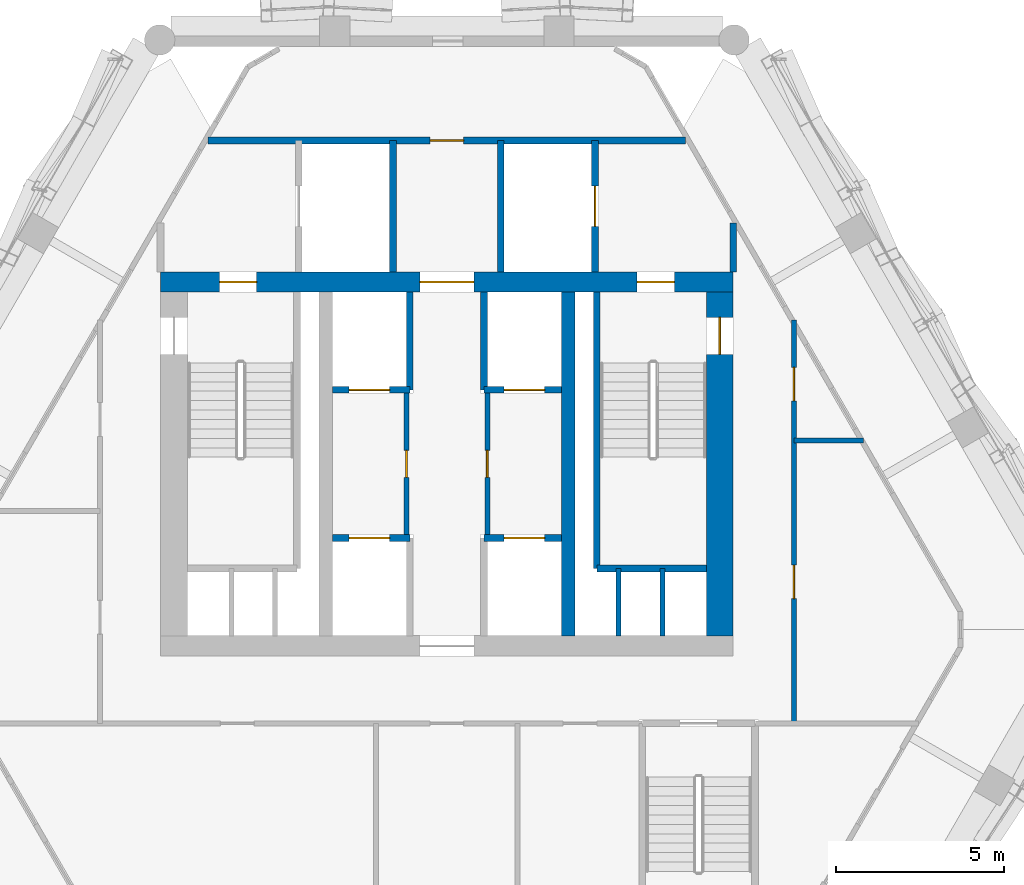
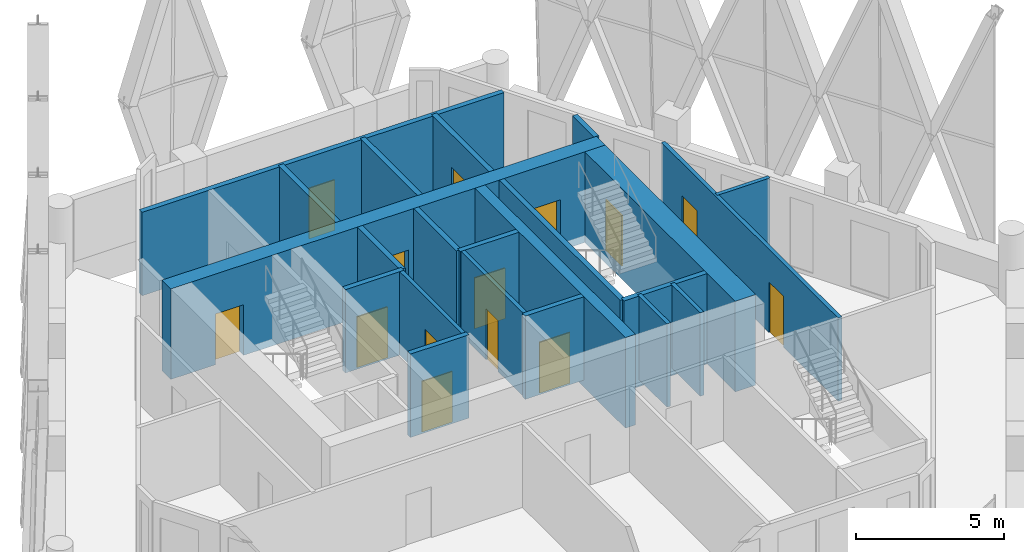
# One storey, part 14 of 21: 22 walls, 14 doors, 14 openings.
"""IFC4 building model written with IfcOpenShell, lengths in metres."""

from ifc_helpers import new_model, si_unit, direction, frame, frame_2d, origin, place, context, subcontext, project, spatial, rectangle, extrude, material, layer, layer_set, type_object, element, fill, save


model = new_model("IFC4")

# Units and contexts
model_context = context("Model", 3, precision=1e-05, world=origin(), true_north=direction((0.0, 1.0)))
body_context = subcontext(model_context, "Body", "Model", "MODEL_VIEW")
ifc_project = project(units=[si_unit("LENGTHUNIT", "METRE"), si_unit("AREAUNIT", "SQUARE_METRE"), si_unit("VOLUMEUNIT", "CUBIC_METRE"), si_unit("PLANEANGLEUNIT", "RADIAN"), si_unit("MASSUNIT", "GRAM", prefix="KILO")], contexts=[model_context])

# Site, building, storey
site_placement = place(None, origin())
site = spatial("IfcSite", under=ifc_project, at=site_placement, CompositionType="ELEMENT")
building_placement = place(site_placement, origin())
building = spatial("IfcBuilding", under=site, at=building_placement, Name="Ostrander Bayou Hotel Tower", CompositionType="ELEMENT")
storey_placement = place(building_placement, frame((0.0, 0.0, 256.25)))
storey = spatial("IfcBuildingStorey", under=building, at=storey_placement, Name="L63", CompositionType="ELEMENT", Elevation=256.25)

# Wall, openings, doors
ifc_material_1 = material(Name="Concrete f'c 60 MPa", Category="concrete")
ifc_layer_1 = layer(ifc_material_1, 0.60009765625)
ifc_layer_set_1 = layer_set([ifc_layer_1], Name="CW10 core wall 600 mm f'c 60 MPa")
wall_type_1 = type_object("IfcWallType", Name="CW10 core wall 600 mm f'c 60 MPa", PredefinedType="SHEAR", material=ifc_layer_set_1)
wall_1_placement = place(storey_placement, frame((-8.5, 9.39990234375, -0.300048828125), z_axis=(0.0, 0.0, 1.0), x_axis=(1.0, 0.0, 0.0)))
wall_1 = element("IfcWall", 1, at=wall_1_placement, inside=storey, type_object=wall_type_1, Name="CW10 L63 N", PredefinedType="SHEAR", context=body_context, shape_type="SweptSolid", body=[
    extrude(rectangle(XDim=17.0, YDim=0.60009765625, at=frame_2d((8.5, 0.0))), origin(), (0.0, 0.0, 1.0), 3.75),
])
opening_1_placement = place(wall_1_placement, frame((7.699951171875, 0.0, 0.0)))
opening_1 = element("IfcOpeningElement", 2, at=opening_1_placement, cuts=wall_1, Name="Opening T63-006", PredefinedType="OPENING", context=body_context, shape_type="SweptSolid", body=[
    extrude(rectangle(XDim=1.60009765625, YDim=2.10009765625, at=frame_2d((0.800048828125, 1.050048828125))), frame((0.0, 0.300048828125, 0.0), z_axis=(0.0, -1.0, 0.0), x_axis=(1.0, 0.0, 0.0)), (0.0, 0.0, 1.0), 0.60009765625),
])
opening_2_placement = place(wall_1_placement, frame((1.75, 0.0, 0.0)))
opening_2 = element("IfcOpeningElement", 3, at=opening_2_placement, cuts=wall_1, Name="Opening T63-007", PredefinedType="OPENING", context=body_context, shape_type="SweptSolid", body=[
    extrude(rectangle(XDim=1.10009765625, YDim=2.10009765625, at=frame_2d((0.550048828125, 1.050048828125))), frame((0.0, 0.300048828125, 0.0), z_axis=(0.0, -1.0, 0.0), x_axis=(1.0, 0.0, 0.0)), (0.0, 0.0, 1.0), 0.60009765625),
])
opening_3_placement = place(wall_1_placement, frame((14.14990234375, 0.0, 0.0)))
opening_3 = element("IfcOpeningElement", 4, at=opening_3_placement, cuts=wall_1, Name="Opening T63-009", PredefinedType="OPENING", context=body_context, shape_type="SweptSolid", body=[
    extrude(rectangle(XDim=1.10009765625, YDim=2.10009765625, at=frame_2d((0.550048828125, 1.050048828125))), frame((0.0, 0.300048828125, 0.0), z_axis=(0.0, -1.0, 0.0), x_axis=(1.0, 0.0, 0.0)), (0.0, 0.0, 1.0), 0.60009765625),
])
ifc_material_2 = material(Name="Timber door leaf", Category="wood")
door_type_1 = type_object("IfcDoorType", Name="D13 double door 1600 x 2100 mm, 1 hour", OperationType="SINGLE_SWING_LEFT", PredefinedType="DOOR", material=ifc_material_2)
door_1_placement = place(opening_1_placement, origin())
door_1 = element("IfcDoor", 5, at=door_1_placement, inside=storey, type_object=door_type_1, Name="dr:L63:006", OperationType="DOUBLE_DOOR_SINGLE_SWING", OverallHeight=2.10009765625, OverallWidth=1.60009765625, PredefinedType="DOOR", context=body_context, shape_type="SweptSolid", body=[
    extrude(rectangle(XDim=1.60009765625, YDim=2.10009765625, at=frame_2d((0.800048828125, 1.050048828125))), frame((0.0, 0.02490234375, 0.0), z_axis=(0.0, -1.0, 0.0), x_axis=(1.0, 0.0, 0.0)), (0.0, 0.0, 1.0), 0.050048828125),
])
fill(opening_1, door_1)
ifc_material_3 = material(Name="Timber door leaf", Category="wood")
door_type_2 = type_object("IfcDoorType", Name="D5 stair door 1100 x 2100 mm, 90 minute", OperationType="SINGLE_SWING_LEFT", PredefinedType="DOOR", material=ifc_material_3)
door_2_placement = place(opening_2_placement, origin())
door_2 = element("IfcDoor", 6, at=door_2_placement, inside=storey, type_object=door_type_2, Name="dr:L63:007", OperationType="SINGLE_SWING_LEFT", OverallHeight=2.10009765625, OverallWidth=1.10009765625, PredefinedType="DOOR", context=body_context, shape_type="SweptSolid", body=[
    extrude(rectangle(XDim=1.10009765625, YDim=2.10009765625, at=frame_2d((0.550048828125, 1.050048828125))), frame((0.0, 0.02490234375, 0.0), z_axis=(0.0, -1.0, 0.0), x_axis=(1.0, 0.0, 0.0)), (0.0, 0.0, 1.0), 0.050048828125),
])
fill(opening_2, door_2)
door_3_placement = place(opening_3_placement, origin())
door_3 = element("IfcDoor", 7, at=door_3_placement, inside=storey, type_object=door_type_2, Name="dr:L63:009", OperationType="SINGLE_SWING_RIGHT", OverallHeight=2.10009765625, OverallWidth=1.10009765625, PredefinedType="DOOR", context=body_context, shape_type="SweptSolid", body=[
    extrude(rectangle(XDim=1.10009765625, YDim=2.10009765625, at=frame_2d((0.550048828125, 1.050048828125))), frame((0.0, 0.02490234375, 0.0), z_axis=(0.0, -1.0, 0.0), x_axis=(1.0, 0.0, 0.0)), (0.0, 0.0, 1.0), 0.050048828125),
])
fill(opening_3, door_3)

# Wall, opening, door
ifc_material_4 = material(Name="Concrete f'c 60 MPa", Category="concrete")
ifc_layer_2 = layer(ifc_material_4, 0.800048828125)
ifc_layer_set_2 = layer_set([ifc_layer_2], Name="CW11 core spine wall 800 mm f'c 60 MPa")
wall_type_2 = type_object("IfcWallType", Name="CW11 core spine wall 800 mm f'c 60 MPa", PredefinedType="SHEAR", material=ifc_layer_set_2)
wall_2_placement = place(storey_placement, frame((8.10009765625, -1.10009765625, -0.300048828125), z_axis=(0.0, 0.0, 1.0), x_axis=(0.0, 1.0, 0.0)))
wall_2 = element("IfcWall", 8, at=wall_2_placement, inside=storey, type_object=wall_type_2, Name="CW11 L63 E", PredefinedType="SHEAR", context=body_context, shape_type="SweptSolid", body=[
    extrude(rectangle(XDim=10.2001953125, YDim=0.800048828125, at=frame_2d((5.10009765625, 0.0))), origin(), (0.0, 0.0, 1.0), 3.75),
])
opening_4_placement = place(wall_2_placement, frame((8.35009765625, 0.0, 0.0)))
opening_4 = element("IfcOpeningElement", 9, at=opening_4_placement, cuts=wall_2, Name="Opening T63-010", PredefinedType="OPENING", context=body_context, shape_type="SweptSolid", body=[
    extrude(rectangle(XDim=1.10009765625, YDim=2.10009765625, at=frame_2d((0.550048828125, 1.050048828125))), frame((0.0, 0.39990234375, 0.0), z_axis=(0.0, -1.0, 0.0), x_axis=(1.0, 0.0, 0.0)), (0.0, 0.0, 1.0), 0.800048828125),
])
door_4_placement = place(opening_4_placement, origin())
door_4 = element("IfcDoor", 10, at=door_4_placement, inside=storey, type_object=door_type_2, Name="dr:L63:010", OperationType="SINGLE_SWING_LEFT", OverallHeight=2.10009765625, OverallWidth=1.10009765625, PredefinedType="DOOR", context=body_context, shape_type="SweptSolid", body=[
    extrude(rectangle(XDim=1.10009765625, YDim=2.10009765625, at=frame_2d((0.550048828125, 1.050048828125))), frame((0.0, 0.02490234375, 0.0), z_axis=(0.0, -1.0, 0.0), x_axis=(1.0, 0.0, 0.0)), (0.0, 0.0, 1.0), 0.050048828125),
])
fill(opening_4, door_4)

# Wall
ifc_material_5 = material(Name="Concrete f'c 60 MPa", Category="concrete")
ifc_layer_3 = layer(ifc_material_5, 0.39990234375)
ifc_layer_set_3 = layer_set([ifc_layer_3], Name="CW12 core bank wall 400 mm f'c 60 MPa")
wall_type_3 = type_object("IfcWallType", Name="CW12 core bank wall 400 mm f'c 60 MPa", PredefinedType="SHEAR", material=ifc_layer_set_3)
wall_3_placement = place(storey_placement, frame((3.60009765625, -1.10009765625, -0.300048828125), z_axis=(0.0, 0.0, 1.0), x_axis=(0.0, 1.0, 0.0)))
element("IfcWall", 11, at=wall_3_placement, inside=storey, type_object=wall_type_3, Name="CW12 L63 CE", PredefinedType="SHEAR", context=body_context, shape_type="SweptSolid", body=[
    extrude(rectangle(XDim=10.2001953125, YDim=0.39990234375, at=frame_2d((5.10009765625, 0.0))), origin(), (0.0, 0.0, 1.0), 3.75),
])

# Wall, opening, door
ifc_material_6 = material(Name="Masonry block", Category="masonry")
ifc_layer_4 = layer(ifc_material_6, 0.199951171875)
ifc_layer_set_4 = layer_set([ifc_layer_4], Name="PT5 stair enclosure wall 200 mm masonry, 2 hour")
wall_type_4 = type_object("IfcWallType", Name="PT5 stair enclosure wall 200 mm masonry, 2 hour", PredefinedType="PARTITIONING", material=ifc_layer_set_4)
wall_4_placement = place(storey_placement, frame((-7.088623046875, 13.60009765625, 0.0), z_axis=(0.0, 0.0, 1.0), x_axis=(1.0, 0.0, 0.0)))
wall_4 = element("IfcWall", 12, at=wall_4_placement, inside=storey, type_object=wall_type_4, Name="cs:L63:022", PredefinedType="PARTITIONING", context=body_context, shape_type="SweptSolid", body=[
    extrude(rectangle(XDim=14.17724609375, YDim=0.199951171875, at=frame_2d((7.088623046875, 0.0))), origin(), (0.0, 0.0, 1.0), 3.449951171875),
])
opening_5_placement = place(wall_4_placement, frame((6.588623046875, 0.0, 0.0)))
opening_5 = element("IfcOpeningElement", 13, at=opening_5_placement, cuts=wall_4, Name="Opening T63-014", PredefinedType="OPENING", context=body_context, shape_type="SweptSolid", body=[
    extrude(rectangle(XDim=1.0, YDim=2.10009765625, at=frame_2d((0.5, 1.050048828125))), frame((0.0, 0.10009765625, 0.0), z_axis=(0.0, -1.0, 0.0), x_axis=(1.0, 0.0, 0.0)), (0.0, 0.0, 1.0), 0.199951171875),
])
ifc_material_7 = material(Name="Timber door leaf", Category="wood")
door_type_3 = type_object("IfcDoorType", Name="D9 service door 1000 x 2100 mm, 30 minute", OperationType="SINGLE_SWING_LEFT", PredefinedType="DOOR", material=ifc_material_7)
door_5_placement = place(opening_5_placement, origin())
door_5 = element("IfcDoor", 14, at=door_5_placement, inside=storey, type_object=door_type_3, Name="dr:L63:014", OperationType="SINGLE_SWING_LEFT", OverallHeight=2.10009765625, OverallWidth=1.0, PredefinedType="DOOR", context=body_context, shape_type="SweptSolid", body=[
    extrude(rectangle(XDim=1.0, YDim=2.10009765625, at=frame_2d((0.5, 1.050048828125))), frame((0.0, 0.02490234375, 0.0), z_axis=(0.0, -1.0, 0.0), x_axis=(1.0, 0.0, 0.0)), (0.0, 0.0, 1.0), 0.050048828125),
])
fill(opening_5, door_5)

# Wall
wall_5_placement = place(storey_placement, frame((8.5, 9.699951171875, 0.0), z_axis=(0.0, 0.0, 1.0), x_axis=(0.0, 1.0, 0.0)))
element("IfcWall", 15, at=wall_5_placement, inside=storey, type_object=wall_type_4, Name="cs:L63:024", PredefinedType="PARTITIONING", context=body_context, shape_type="SweptSolid", body=[
    extrude(rectangle(XDim=1.45556640625, YDim=0.199951171875, at=frame_2d((0.727783203125, 0.0))), origin(), (0.0, 0.0, 1.0), 3.449951171875),
])

# Wall, opening, door
wall_6_placement = place(storey_placement, frame((4.39990234375, 9.699951171875, 0.0), z_axis=(0.0, 0.0, 1.0), x_axis=(0.0, 1.0, 0.0)))
wall_6 = element("IfcWall", 16, at=wall_6_placement, inside=storey, type_object=wall_type_4, Name="cs:L63:026", PredefinedType="PARTITIONING", context=body_context, shape_type="SweptSolid", body=[
    extrude(rectangle(XDim=3.900146484375, YDim=0.199951171875, at=frame_2d((1.9501953125, 0.0))), origin(), (0.0, 0.0, 1.0), 3.449951171875),
])
opening_6_placement = place(wall_6_placement, frame((1.35009765625, 0.0, 0.0)))
opening_6 = element("IfcOpeningElement", 17, at=opening_6_placement, cuts=wall_6, Name="Opening T63-013", PredefinedType="OPENING", context=body_context, shape_type="SweptSolid", body=[
    extrude(rectangle(XDim=1.199951171875, YDim=2.10009765625, at=frame_2d((0.60009765625, 1.050048828125))), frame((0.0, 0.10009765625, 0.0), z_axis=(0.0, -1.0, 0.0), x_axis=(1.0, 0.0, 0.0)), (0.0, 0.0, 1.0), 0.199951171875),
])
ifc_material_8 = material(Name="Stainless steel sliding door", Category="steel")
door_type_4 = type_object("IfcDoorType", Name="LD1 lift landing door 1200 x 2100 mm", OperationType="SINGLE_SWING_LEFT", PredefinedType="DOOR", material=ifc_material_8)
door_6_placement = place(opening_6_placement, origin())
door_6 = element("IfcDoor", 18, at=door_6_placement, inside=storey, type_object=door_type_4, Name="dr:L63:013", OperationType="SLIDING_TO_LEFT", OverallHeight=2.10009765625, OverallWidth=1.199951171875, PredefinedType="DOOR", context=body_context, shape_type="SweptSolid", body=[
    extrude(rectangle(XDim=1.199951171875, YDim=2.10009765625, at=frame_2d((0.60009765625, 1.050048828125))), frame((0.0, 0.02490234375, 0.0), z_axis=(0.0, -1.0, 0.0), x_axis=(1.0, 0.0, 0.0)), (0.0, 0.0, 1.0), 0.050048828125),
])
fill(opening_6, door_6)

ifc_material_9 = material(Name="Masonry block", Category="masonry")
ifc_layer_5 = layer(ifc_material_9, 0.199951171875)
ifc_layer_set_5 = layer_set([ifc_layer_5], Name="PT6 lift shaft wall 200 mm masonry, 2 hour")
wall_type_5 = type_object("IfcWallType", Name="PT6 lift shaft wall 200 mm masonry, 2 hour", PredefinedType="PARTITIONING", material=ifc_layer_set_5)
wall_7_placement = place(storey_placement, frame((-3.39990234375, 1.800048828125, 0.0), z_axis=(0.0, 0.0, 1.0), x_axis=(1.0, 0.0, 0.0)))
wall_7 = element("IfcWall", 19, at=wall_7_placement, inside=storey, type_object=wall_type_5, Name="cs:L63:001", PredefinedType="PARTITIONING", context=body_context, shape_type="SweptSolid", body=[
    extrude(rectangle(XDim=2.2998046875, YDim=0.199951171875, at=frame_2d((1.14990234375, 0.0))), origin(), (0.0, 0.0, 1.0), 3.449951171875),
])
opening_7_placement = place(wall_7_placement, frame((0.5, 0.0, 0.0)))
opening_7 = element("IfcOpeningElement", 20, at=opening_7_placement, cuts=wall_7, Name="Opening T63-001", PredefinedType="OPENING", context=body_context, shape_type="SweptSolid", body=[
    extrude(rectangle(XDim=1.199951171875, YDim=2.10009765625, at=frame_2d((0.60009765625, 1.050048828125))), frame((0.0, 0.10009765625, 0.0), z_axis=(0.0, -1.0, 0.0), x_axis=(1.0, 0.0, 0.0)), (0.0, 0.0, 1.0), 0.199951171875),
])
door_7_placement = place(opening_7_placement, origin())
door_7 = element("IfcDoor", 21, at=door_7_placement, inside=storey, type_object=door_type_4, Name="dr:L63:001", OperationType="SLIDING_TO_LEFT", OverallHeight=2.10009765625, OverallWidth=1.199951171875, PredefinedType="DOOR", context=body_context, shape_type="SweptSolid", body=[
    extrude(rectangle(XDim=1.199951171875, YDim=2.10009765625, at=frame_2d((0.60009765625, 1.050048828125))), frame((0.0, 0.02490234375, 0.0), z_axis=(0.0, -1.0, 0.0), x_axis=(1.0, 0.0, 0.0)), (0.0, 0.0, 1.0), 0.050048828125),
])
fill(opening_7, door_7)

wall_8_placement = place(storey_placement, frame((-3.39990234375, 6.199951171875, 0.0), z_axis=(0.0, 0.0, 1.0), x_axis=(1.0, 0.0, 0.0)))
wall_8 = element("IfcWall", 22, at=wall_8_placement, inside=storey, type_object=wall_type_5, Name="cs:L63:002", PredefinedType="PARTITIONING", context=body_context, shape_type="SweptSolid", body=[
    extrude(rectangle(XDim=2.2998046875, YDim=0.199951171875, at=frame_2d((1.14990234375, 0.0))), origin(), (0.0, 0.0, 1.0), 3.449951171875),
])
opening_8_placement = place(wall_8_placement, frame((0.5, 0.0, 0.0)))
opening_8 = element("IfcOpeningElement", 23, at=opening_8_placement, cuts=wall_8, Name="Opening T63-003", PredefinedType="OPENING", context=body_context, shape_type="SweptSolid", body=[
    extrude(rectangle(XDim=1.199951171875, YDim=2.10009765625, at=frame_2d((0.60009765625, 1.050048828125))), frame((0.0, 0.10009765625, 0.0), z_axis=(0.0, -1.0, 0.0), x_axis=(1.0, 0.0, 0.0)), (0.0, 0.0, 1.0), 0.199951171875),
])
door_8_placement = place(opening_8_placement, origin())
door_8 = element("IfcDoor", 24, at=door_8_placement, inside=storey, type_object=door_type_4, Name="dr:L63:003", OperationType="SLIDING_TO_LEFT", OverallHeight=2.10009765625, OverallWidth=1.199951171875, PredefinedType="DOOR", context=body_context, shape_type="SweptSolid", body=[
    extrude(rectangle(XDim=1.199951171875, YDim=2.10009765625, at=frame_2d((0.60009765625, 1.050048828125))), frame((0.0, 0.02490234375, 0.0), z_axis=(0.0, -1.0, 0.0), x_axis=(1.0, 0.0, 0.0)), (0.0, 0.0, 1.0), 0.050048828125),
])
fill(opening_8, door_8)

wall_9_placement = place(storey_placement, frame((1.10009765625, 1.800048828125, 0.0), z_axis=(0.0, 0.0, 1.0), x_axis=(1.0, 0.0, 0.0)))
wall_9 = element("IfcWall", 25, at=wall_9_placement, inside=storey, type_object=wall_type_5, Name="cs:L63:003", PredefinedType="PARTITIONING", context=body_context, shape_type="SweptSolid", body=[
    extrude(rectangle(XDim=2.2998046875, YDim=0.199951171875, at=frame_2d((1.14990234375, 0.0))), origin(), (0.0, 0.0, 1.0), 3.449951171875),
])
opening_9_placement = place(wall_9_placement, frame((0.60009765625, 0.0, 0.0)))
opening_9 = element("IfcOpeningElement", 26, at=opening_9_placement, cuts=wall_9, Name="Opening T63-002", PredefinedType="OPENING", context=body_context, shape_type="SweptSolid", body=[
    extrude(rectangle(XDim=1.199951171875, YDim=2.10009765625, at=frame_2d((0.60009765625, 1.050048828125))), frame((0.0, 0.10009765625, 0.0), z_axis=(0.0, -1.0, 0.0), x_axis=(1.0, 0.0, 0.0)), (0.0, 0.0, 1.0), 0.199951171875),
])
door_9_placement = place(opening_9_placement, origin())
door_9 = element("IfcDoor", 27, at=door_9_placement, inside=storey, type_object=door_type_4, Name="dr:L63:002", OperationType="SLIDING_TO_LEFT", OverallHeight=2.10009765625, OverallWidth=1.199951171875, PredefinedType="DOOR", context=body_context, shape_type="SweptSolid", body=[
    extrude(rectangle(XDim=1.199951171875, YDim=2.10009765625, at=frame_2d((0.60009765625, 1.050048828125))), frame((0.0, 0.02490234375, 0.0), z_axis=(0.0, -1.0, 0.0), x_axis=(1.0, 0.0, 0.0)), (0.0, 0.0, 1.0), 0.050048828125),
])
fill(opening_9, door_9)

wall_10_placement = place(storey_placement, frame((1.10009765625, 6.199951171875, 0.0), z_axis=(0.0, 0.0, 1.0), x_axis=(1.0, 0.0, 0.0)))
wall_10 = element("IfcWall", 28, at=wall_10_placement, inside=storey, type_object=wall_type_5, Name="cs:L63:004", PredefinedType="PARTITIONING", context=body_context, shape_type="SweptSolid", body=[
    extrude(rectangle(XDim=2.2998046875, YDim=0.199951171875, at=frame_2d((1.14990234375, 0.0))), origin(), (0.0, 0.0, 1.0), 3.449951171875),
])
opening_10_placement = place(wall_10_placement, frame((0.60009765625, 0.0, 0.0)))
opening_10 = element("IfcOpeningElement", 29, at=opening_10_placement, cuts=wall_10, Name="Opening T63-004", PredefinedType="OPENING", context=body_context, shape_type="SweptSolid", body=[
    extrude(rectangle(XDim=1.199951171875, YDim=2.10009765625, at=frame_2d((0.60009765625, 1.050048828125))), frame((0.0, 0.10009765625, 0.0), z_axis=(0.0, -1.0, 0.0), x_axis=(1.0, 0.0, 0.0)), (0.0, 0.0, 1.0), 0.199951171875),
])
door_10_placement = place(opening_10_placement, origin())
door_10 = element("IfcDoor", 30, at=door_10_placement, inside=storey, type_object=door_type_4, Name="dr:L63:004", OperationType="SLIDING_TO_LEFT", OverallHeight=2.10009765625, OverallWidth=1.199951171875, PredefinedType="DOOR", context=body_context, shape_type="SweptSolid", body=[
    extrude(rectangle(XDim=1.199951171875, YDim=2.10009765625, at=frame_2d((0.60009765625, 1.050048828125))), frame((0.0, 0.02490234375, 0.0), z_axis=(0.0, -1.0, 0.0), x_axis=(1.0, 0.0, 0.0)), (0.0, 0.0, 1.0), 0.050048828125),
])
fill(opening_10, door_10)

# Walls
for number, where, z_axis, x_axis, name in (
    (31, (-1.10009765625, 6.199951171875, 0.0), (0.0, 0.0, 1.0), (0.0, 1.0, 0.0), "cs:L63:007"),
    (32, (1.10009765625, 6.199951171875, 0.0), (0.0, 0.0, 1.0), (0.0, 1.0, 0.0), "cs:L63:008"),
):
    element("IfcWall", number, at=place(storey_placement, frame(where, z_axis=z_axis, x_axis=x_axis)), inside=storey, type_object=wall_type_5, Name=name, PredefinedType="PARTITIONING", context=body_context, shape_type="SweptSolid", body=[
        extrude(rectangle(XDim=2.900146484375, YDim=0.199951171875, at=frame_2d((1.4501953125, 0.0))), origin(), (0.0, 0.0, 1.0), 3.449951171875),
    ])
for number, where, z_axis, x_axis, name in (
    (33, (-1.60009765625, 9.699951171875, 0.0), (0.0, 0.0, 1.0), (0.0, 1.0, 0.0), "cs:L63:027"),
    (34, (1.60009765625, 9.699951171875, 0.0), (0.0, 0.0, 1.0), (0.0, 1.0, 0.0), "cs:L63:028"),
):
    element("IfcWall", number, at=place(storey_placement, frame(where, z_axis=z_axis, x_axis=x_axis)), inside=storey, type_object=wall_type_5, Name=name, PredefinedType="PARTITIONING", context=body_context, shape_type="SweptSolid", body=[
        extrude(rectangle(XDim=3.900146484375, YDim=0.199951171875, at=frame_2d((1.9501953125, 0.0))), origin(), (0.0, 0.0, 1.0), 3.449951171875),
    ])
ifc_material_10 = material(Name="Gypsum board partition", Category="finish")
ifc_layer_6 = layer(ifc_material_10, 0.14990234375)
ifc_layer_set_6 = layer_set([ifc_layer_6], Name="PT7 riser wall 150 mm, 2 hour")
wall_type_6 = type_object("IfcWallType", Name="PT7 riser wall 150 mm, 2 hour", PredefinedType="PARTITIONING", material=ifc_layer_set_6)
for number, where, z_axis, x_axis, name in (
    (35, (5.10009765625, -1.10009765625, 0.0), (0.0, 0.0, 1.0), (0.0, 1.0, 0.0), "cs:L63:015"),
    (36, (6.39990234375, -1.10009765625, 0.0), (0.0, 0.0, 1.0), (0.0, 1.0, 0.0), "cs:L63:016"),
):
    element("IfcWall", number, at=place(storey_placement, frame(where, z_axis=z_axis, x_axis=x_axis)), inside=storey, type_object=wall_type_6, Name=name, PredefinedType="PARTITIONING", context=body_context, shape_type="SweptSolid", body=[
        extrude(rectangle(XDim=2.0, YDim=0.14990234375, at=frame_2d((1.0, 0.0))), origin(), (0.0, 0.0, 1.0), 3.449951171875),
    ])

# Wall, opening, door
wall_11_placement = place(storey_placement, frame((-1.199951171875, 1.89990234375, 0.0), z_axis=(0.0, 0.0, 1.0), x_axis=(0.0, 1.0, 0.0)))
wall_11 = element("IfcWall", 37, at=wall_11_placement, inside=storey, type_object=wall_type_6, Name="cs:L63:029", PredefinedType="PARTITIONING", context=body_context, shape_type="SweptSolid", body=[
    extrude(rectangle(XDim=4.2001953125, YDim=0.14990234375, at=frame_2d((2.10009765625, 0.0))), origin(), (0.0, 0.0, 1.0), 3.449951171875),
])
opening_11_placement = place(wall_11_placement, frame((1.699951171875, 0.0, 0.0)))
opening_11 = element("IfcOpeningElement", 38, at=opening_11_placement, cuts=wall_11, Name="Opening T63-015", PredefinedType="OPENING", context=body_context, shape_type="SweptSolid", body=[
    extrude(rectangle(XDim=0.800048828125, YDim=2.10009765625, at=frame_2d((0.39990234375, 1.050048828125))), frame((0.0, 0.074951171875, 0.0), z_axis=(0.0, -1.0, 0.0), x_axis=(1.0, 0.0, 0.0)), (0.0, 0.0, 1.0), 0.14990234375),
])
ifc_material_11 = material(Name="Timber door leaf", Category="wood")
door_type_5 = type_object("IfcDoorType", Name="D6 riser door 800 x 2100 mm, 90 minute", OperationType="SINGLE_SWING_LEFT", PredefinedType="DOOR", material=ifc_material_11)
door_11_placement = place(opening_11_placement, origin())
door_11 = element("IfcDoor", 39, at=door_11_placement, inside=storey, type_object=door_type_5, Name="dr:L63:015", OperationType="SINGLE_SWING_LEFT", OverallHeight=2.10009765625, OverallWidth=0.800048828125, PredefinedType="DOOR", context=body_context, shape_type="SweptSolid", body=[
    extrude(rectangle(XDim=0.800048828125, YDim=2.10009765625, at=frame_2d((0.39990234375, 1.050048828125))), frame((0.0, 0.02490234375, 0.0), z_axis=(0.0, -1.0, 0.0), x_axis=(1.0, 0.0, 0.0)), (0.0, 0.0, 1.0), 0.050048828125),
])
fill(opening_11, door_11)

wall_12_placement = place(storey_placement, frame((1.199951171875, 1.89990234375, 0.0), z_axis=(0.0, 0.0, 1.0), x_axis=(0.0, 1.0, 0.0)))
wall_12 = element("IfcWall", 40, at=wall_12_placement, inside=storey, type_object=wall_type_6, Name="cs:L63:030", PredefinedType="PARTITIONING", context=body_context, shape_type="SweptSolid", body=[
    extrude(rectangle(XDim=4.2001953125, YDim=0.14990234375, at=frame_2d((2.10009765625, 0.0))), origin(), (0.0, 0.0, 1.0), 3.449951171875),
])
opening_12_placement = place(wall_12_placement, frame((1.699951171875, 0.0, 0.0)))
opening_12 = element("IfcOpeningElement", 41, at=opening_12_placement, cuts=wall_12, Name="Opening T63-016", PredefinedType="OPENING", context=body_context, shape_type="SweptSolid", body=[
    extrude(rectangle(XDim=0.800048828125, YDim=2.10009765625, at=frame_2d((0.39990234375, 1.050048828125))), frame((0.0, 0.074951171875, 0.0), z_axis=(0.0, -1.0, 0.0), x_axis=(1.0, 0.0, 0.0)), (0.0, 0.0, 1.0), 0.14990234375),
])
door_12_placement = place(opening_12_placement, origin())
door_12 = element("IfcDoor", 42, at=door_12_placement, inside=storey, type_object=door_type_5, Name="dr:L63:016", OperationType="SINGLE_SWING_RIGHT", OverallHeight=2.10009765625, OverallWidth=0.800048828125, PredefinedType="DOOR", context=body_context, shape_type="SweptSolid", body=[
    extrude(rectangle(XDim=0.800048828125, YDim=2.10009765625, at=frame_2d((0.39990234375, 1.050048828125))), frame((0.0, 0.02490234375, 0.0), z_axis=(0.0, -1.0, 0.0), x_axis=(1.0, 0.0, 0.0)), (0.0, 0.0, 1.0), 0.050048828125),
])
fill(opening_12, door_12)

# Wall
ifc_material_12 = material(Name="Gypsum board partition", Category="finish")
ifc_layer_7 = layer(ifc_material_12, 0.14990234375)
ifc_layer_set_7 = layer_set([ifc_layer_7], Name="PT8 service band wall 150 mm, 1 hour")
wall_type_7 = type_object("IfcWallType", Name="PT8 service band wall 150 mm, 1 hour", PredefinedType="PARTITIONING", material=ifc_layer_set_7)
wall_13_placement = place(storey_placement, frame((10.300048828125, 4.699951171875, 0.0), z_axis=(0.0, 0.0, 1.0), x_axis=(1.0, 0.0, 0.0)))
element("IfcWall", 43, at=wall_13_placement, inside=storey, type_object=wall_type_7, Name="gw:L63:004", PredefinedType="PARTITIONING", context=body_context, shape_type="SweptSolid", body=[
    extrude(rectangle(XDim=2.06591796875, YDim=0.14990234375, at=frame_2d((1.032958984375, 0.0))), origin(), (0.0, 0.0, 1.0), 3.449951171875),
])

# Wall, openings, doors
wall_14_placement = place(storey_placement, frame((10.300048828125, -3.699951171875, 0.0), z_axis=(0.0, 0.0, 1.0), x_axis=(0.0, 1.0, 0.0)))
wall_14 = element("IfcWall", 44, at=wall_14_placement, inside=storey, type_object=wall_type_7, Name="gw:L63:005", PredefinedType="PARTITIONING", context=body_context, shape_type="SweptSolid", body=[
    extrude(rectangle(XDim=11.97802734375, YDim=0.14990234375, at=frame_2d((5.989013671875, 0.0))), origin(), (0.0, 0.0, 1.0), 3.449951171875),
])
opening_13_placement = place(wall_14_placement, frame((3.699951171875, 0.0, 0.0)))
opening_13 = element("IfcOpeningElement", 45, at=opening_13_placement, cuts=wall_14, Name="Opening T63-405", PredefinedType="OPENING", context=body_context, shape_type="SweptSolid", body=[
    extrude(rectangle(XDim=1.0, YDim=2.10009765625, at=frame_2d((0.5, 1.050048828125))), frame((0.0, 0.074951171875, 0.0), z_axis=(0.0, -1.0, 0.0), x_axis=(1.0, 0.0, 0.0)), (0.0, 0.0, 1.0), 0.14990234375),
])
opening_14_placement = place(wall_14_placement, frame((9.570068359375, 0.0, 0.0)))
opening_14 = element("IfcOpeningElement", 46, at=opening_14_placement, cuts=wall_14, Name="Opening T63-406", PredefinedType="OPENING", context=body_context, shape_type="SweptSolid", body=[
    extrude(rectangle(XDim=1.0, YDim=2.10009765625, at=frame_2d((0.5, 1.050048828125))), frame((0.0, 0.074951171875, 0.0), z_axis=(0.0, -1.0, 0.0), x_axis=(1.0, 0.0, 0.0)), (0.0, 0.0, 1.0), 0.14990234375),
])
ifc_material_13 = material(Name="Timber door leaf", Category="wood")
door_type_6 = type_object("IfcDoorType", Name="D15 room door 1000 x 2100 mm", OperationType="SINGLE_SWING_LEFT", PredefinedType="DOOR", material=ifc_material_13)
door_13_placement = place(opening_13_placement, origin())
door_13 = element("IfcDoor", 47, at=door_13_placement, inside=storey, type_object=door_type_6, Name="dr:L63:405", OperationType="SINGLE_SWING_LEFT", OverallHeight=2.10009765625, OverallWidth=1.0, PredefinedType="DOOR", context=body_context, shape_type="SweptSolid", body=[
    extrude(rectangle(XDim=1.0, YDim=2.10009765625, at=frame_2d((0.5, 1.050048828125))), frame((0.0, 0.02490234375, 0.0), z_axis=(0.0, -1.0, 0.0), x_axis=(1.0, 0.0, 0.0)), (0.0, 0.0, 1.0), 0.050048828125),
])
fill(opening_13, door_13)
door_14_placement = place(opening_14_placement, origin())
door_14 = element("IfcDoor", 48, at=door_14_placement, inside=storey, type_object=door_type_3, Name="dr:L63:406", OperationType="SINGLE_SWING_LEFT", OverallHeight=2.10009765625, OverallWidth=1.0, PredefinedType="DOOR", context=body_context, shape_type="SweptSolid", body=[
    extrude(rectangle(XDim=1.0, YDim=2.10009765625, at=frame_2d((0.5, 1.050048828125))), frame((0.0, 0.02490234375, 0.0), z_axis=(0.0, -1.0, 0.0), x_axis=(1.0, 0.0, 0.0)), (0.0, 0.0, 1.0), 0.050048828125),
])
fill(opening_14, door_14)

# Walls
ifc_material_14 = material(Name="Concrete f'c 45 MPa", Category="concrete")
ifc_layer_8 = layer(ifc_material_14, 0.199951171875)
ifc_layer_set_8 = layer_set([ifc_layer_8], Name="SW5 stair enclosure wall 200 mm f'c 45 MPa")
wall_type_8 = type_object("IfcWallType", Name="SW5 stair enclosure wall 200 mm f'c 45 MPa", PredefinedType="SOLIDWALL", material=ifc_layer_set_8)
wall_15_placement = place(storey_placement, frame((4.449951171875, 0.89990234375, -0.300048828125), z_axis=(0.0, 0.0, 1.0), x_axis=(0.0, 1.0, 0.0)))
element("IfcWall", 49, at=wall_15_placement, inside=storey, type_object=wall_type_8, Name="cs:L63:013", PredefinedType="SOLIDWALL", context=body_context, shape_type="SweptSolid", body=[
    extrude(rectangle(XDim=8.2001953125, YDim=0.199951171875, at=frame_2d((4.10009765625, 0.0))), origin(), (0.0, 0.0, 1.0), 3.75),
])
wall_16_placement = place(storey_placement, frame((4.449951171875, 0.89990234375, -0.300048828125), z_axis=(0.0, 0.0, 1.0), x_axis=(1.0, 0.0, 0.0)))
element("IfcWall", 50, at=wall_16_placement, inside=storey, type_object=wall_type_8, Name="cs:L63:014", PredefinedType="SOLIDWALL", context=body_context, shape_type="SweptSolid", body=[
    extrude(rectangle(XDim=3.25, YDim=0.199951171875, at=frame_2d((1.625, 0.0))), origin(), (0.0, 0.0, 1.0), 3.75),
])

save(model, "model.ifc")
